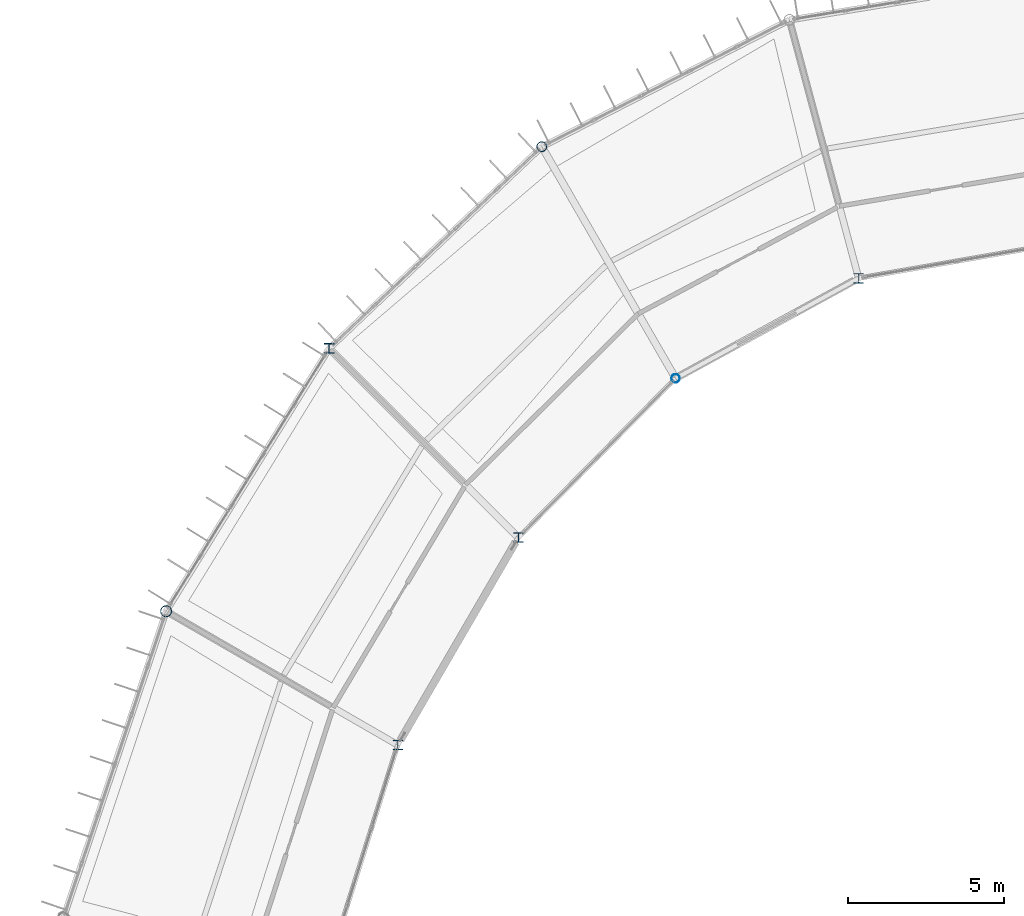
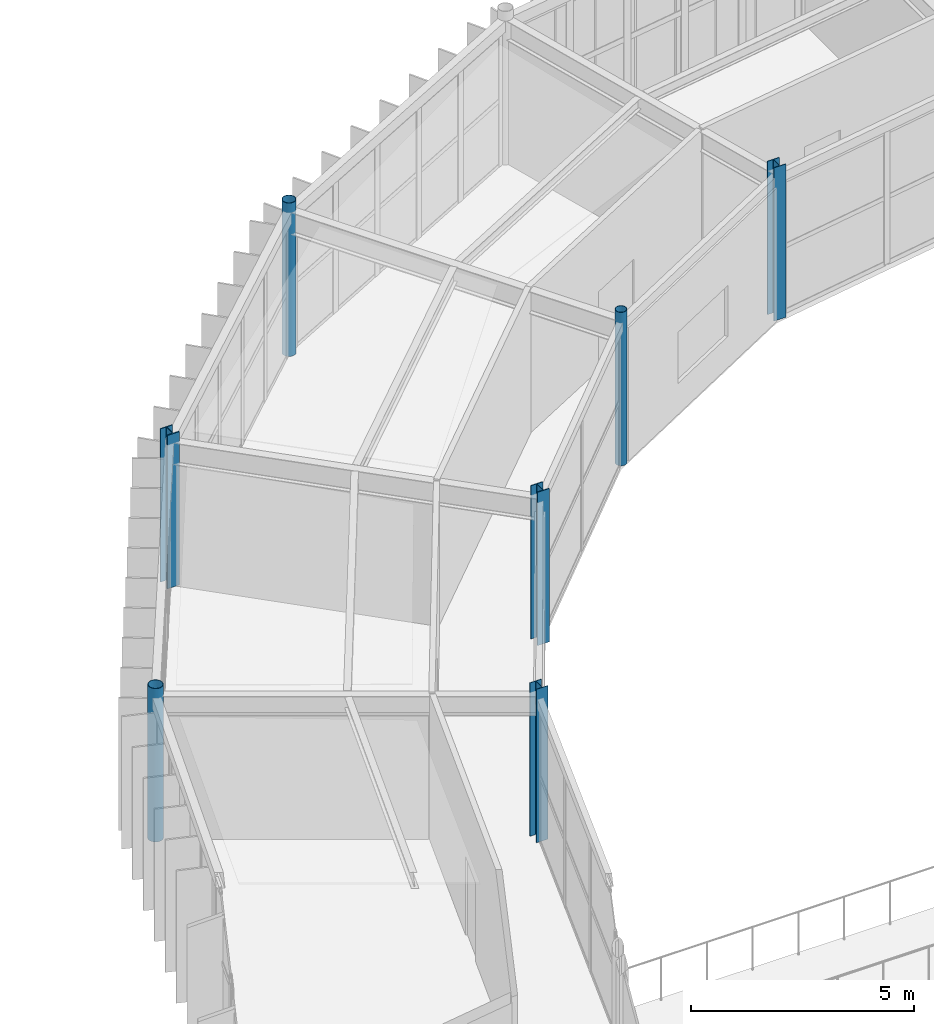
# One storey, part 12 of 148: 7 columns.
"""IFC4 building model written with IfcOpenShell, lengths in metres."""

from ifc_helpers import new_model, si_unit, direction, frame, origin, origin_2d, place, context, subcontext, project, spatial, hollow_circle, i_section, extrude, material, material_profile, profile_set, type_object, element, save


model = new_model("IFC4")

# Units and contexts
model_context = context("Model", 3, precision=1e-05, world=origin(), true_north=direction((0.0, 1.0)))
body_context = subcontext(model_context, "Body", "Model", "MODEL_VIEW")
ifc_project = project(units=[si_unit("LENGTHUNIT", "METRE"), si_unit("AREAUNIT", "SQUARE_METRE"), si_unit("VOLUMEUNIT", "CUBIC_METRE"), si_unit("PLANEANGLEUNIT", "RADIAN"), si_unit("MASSUNIT", "GRAM", prefix="KILO")], contexts=[model_context])

# Site, building, storey
site_placement = place(None, origin())
site = spatial("IfcSite", under=ifc_project, at=site_placement, CompositionType="ELEMENT")
building_placement = place(site_placement, origin())
building = spatial("IfcBuilding", under=site, at=building_placement, Name="Karori Crest Natural Sciences Institute", CompositionType="ELEMENT")
storey_placement = place(building_placement, frame((0.0, 0.0, 4.89990234375)))
storey = spatial("IfcBuildingStorey", under=building, at=storey_placement, Name="L01", CompositionType="ELEMENT", Elevation=4.89990234375)

# Columns
ifc_material_1 = material(Name="Structural steel AS/NZS 3679.1 Grade 350", Category="steel")
ifc_material_profile_1 = material_profile(ifc_material_1, i_section(OverallWidth=0.31103515625, OverallDepth=0.326904296875, WebThickness=0.015625, FlangeThickness=0.02490234375, FilletRadius=0.01708984375, at=origin_2d()), Name="310UC158")
ifc_profile_set_1 = profile_set([ifc_material_profile_1], Name="Structural steel AS/NZS 3679.1 Grade 350")
column_type_1 = type_object("IfcColumnType", Name="CT-04", PredefinedType="COLUMN", material=ifc_profile_set_1)
column_1_placement = place(storey_placement, frame((43.0654296875, 78.75, 0.0), z_axis=(0.0, 0.0, 1.0), x_axis=(1.0, 0.0, 0.0)))
element("IfcColumn", 1, at=column_1_placement, inside=storey, type_object=column_type_1, Name="Column C-0161", PredefinedType="COLUMN", context=body_context, shape_type="SweptSolid", body=[
    extrude(i_section(OverallWidth=0.31103515625, OverallDepth=0.326904296875, WebThickness=0.015625, FlangeThickness=0.02490234375, FilletRadius=0.01708984375, at=origin_2d()), origin(), (0.0, 0.0, 1.0), 4.2001953125),
])
ifc_material_profile_2 = material_profile(ifc_material_1, i_section(OverallWidth=0.306884765625, OverallDepth=0.31494140625, WebThickness=0.011962890625, FlangeThickness=0.018798828125, FilletRadius=0.01708984375, at=origin_2d()), Name="310UC118")
ifc_profile_set_2 = profile_set([ifc_material_profile_2], Name="Structural steel AS/NZS 3679.1 Grade 350")
column_type_2 = type_object("IfcColumnType", Name="CT-05", PredefinedType="COLUMN", material=ifc_profile_set_2)
column_2_placement = place(storey_placement, frame((49.146484375, 72.668701171875, 0.0), z_axis=(0.0, 0.0, 1.0), x_axis=(1.0, 0.0, 0.0)))
element("IfcColumn", 2, at=column_2_placement, inside=storey, type_object=column_type_2, Name="Column C-0162", PredefinedType="COLUMN", context=body_context, shape_type="SweptSolid", body=[
    extrude(i_section(OverallWidth=0.306884765625, OverallDepth=0.31494140625, WebThickness=0.011962890625, FlangeThickness=0.018798828125, FilletRadius=0.01708984375, at=origin_2d()), origin(), (0.0, 0.0, 1.0), 4.2001953125),
])
ifc_material_2 = material(Name="Hollow structural steel AS/NZS 1163 Grade C350", Category="steel")
ifc_material_profile_3 = material_profile(ifc_material_2, hollow_circle(Radius=0.177734375, WallThickness=0.0126953125, at=origin_2d()), Name="CHS355.6x12.7")
ifc_profile_set_3 = profile_set([ifc_material_profile_3], Name="Hollow structural steel AS/NZS 1163 Grade C350")
column_type_3 = type_object("IfcColumnType", Name="CT-14", PredefinedType="COLUMN", material=ifc_profile_set_3)
column_3_placement = place(storey_placement, frame((37.8212890625, 70.300048828125, 0.0), z_axis=(0.0, 0.0, 1.0), x_axis=(1.0, 0.0, 0.0)))
element("IfcColumn", 3, at=column_3_placement, inside=storey, type_object=column_type_3, Name="Column C-0177", PredefinedType="COLUMN", context=body_context, shape_type="SweptSolid", body=[
    extrude(hollow_circle(Radius=0.177734375, WallThickness=0.0126953125, at=origin_2d()), origin(), (0.0, 0.0, 1.0), 4.2001953125),
])
ifc_material_profile_4 = material_profile(ifc_material_2, hollow_circle(Radius=0.161865234375, WallThickness=0.0126953125, at=origin_2d()), Name="CHS323.9x12.7")
ifc_profile_set_4 = profile_set([ifc_material_profile_4], Name="Hollow structural steel AS/NZS 1163 Grade C350")
column_type_4 = type_object("IfcColumnType", Name="CT-15", PredefinedType="COLUMN", material=ifc_profile_set_4)
column_4_placement = place(storey_placement, frame((49.89990234375, 85.23388671875, 0.0), z_axis=(0.0, 0.0, 1.0), x_axis=(1.0, 0.0, 0.0)))
element("IfcColumn", 4, at=column_4_placement, inside=storey, type_object=column_type_4, Name="Column C-0145", PredefinedType="COLUMN", context=body_context, shape_type="SweptSolid", body=[
    extrude(hollow_circle(Radius=0.161865234375, WallThickness=0.0126953125, at=origin_2d()), origin(), (0.0, 0.0, 1.0), 4.2001953125),
])
ifc_material_profile_5 = material_profile(ifc_material_2, hollow_circle(Radius=0.136474609375, WallThickness=0.00927734375, at=origin_2d()), Name="CHS273.0x9.3")
ifc_profile_set_5 = profile_set([ifc_material_profile_5], Name="Hollow structural steel AS/NZS 1163 Grade C350")
column_type_5 = type_object("IfcColumnType", Name="CT-16", PredefinedType="COLUMN", material=ifc_profile_set_5)
column_5_placement = place(storey_placement, frame((54.199951171875, 77.785888671875, 0.0), z_axis=(0.0, 0.0, 1.0), x_axis=(1.0, 0.0, 0.0)))
element("IfcColumn", 5, at=column_5_placement, inside=storey, type_object=column_type_5, Name="Column C-0146", PredefinedType="COLUMN", context=body_context, shape_type="SweptSolid", body=[
    extrude(hollow_circle(Radius=0.136474609375, WallThickness=0.00927734375, at=origin_2d()), origin(), (0.0, 0.0, 1.0), 4.2001953125),
])
ifc_material_profile_6 = material_profile(ifc_material_1, i_section(OverallWidth=0.304931640625, OverallDepth=0.30810546875, WebThickness=0.010009765625, FlangeThickness=0.015380859375, FilletRadius=0.01708984375, at=origin_2d()), Name="310UC96.8")
ifc_profile_set_6 = profile_set([ifc_material_profile_6], Name="Structural steel AS/NZS 3679.1 Grade 350")
column_type_6 = type_object("IfcColumnType", Name="CT-25", PredefinedType="COLUMN", material=ifc_profile_set_6)
for number, where, z_axis, x_axis, name in (
    (6, (60.084716796875, 81.002685546875, 0.0), (0.0, 0.0, 1.0), (1.0, 0.0, 0.0), "Column C-0130"),
    (7, (45.26904296875, 66.0, 0.0), (0.0, 0.0, 1.0), (1.0, 0.0, 0.0), "Column C-0178"),
):
    element("IfcColumn", number, at=place(storey_placement, frame(where, z_axis=z_axis, x_axis=x_axis)), inside=storey, type_object=column_type_6, Name=name, PredefinedType="COLUMN", context=body_context, shape_type="SweptSolid", body=[
        extrude(i_section(OverallWidth=0.304931640625, OverallDepth=0.30810546875, WebThickness=0.010009765625, FlangeThickness=0.015380859375, FilletRadius=0.01708984375, at=origin_2d()), origin(), (0.0, 0.0, 1.0), 4.2001953125),
    ])

save(model, "model.ifc")
